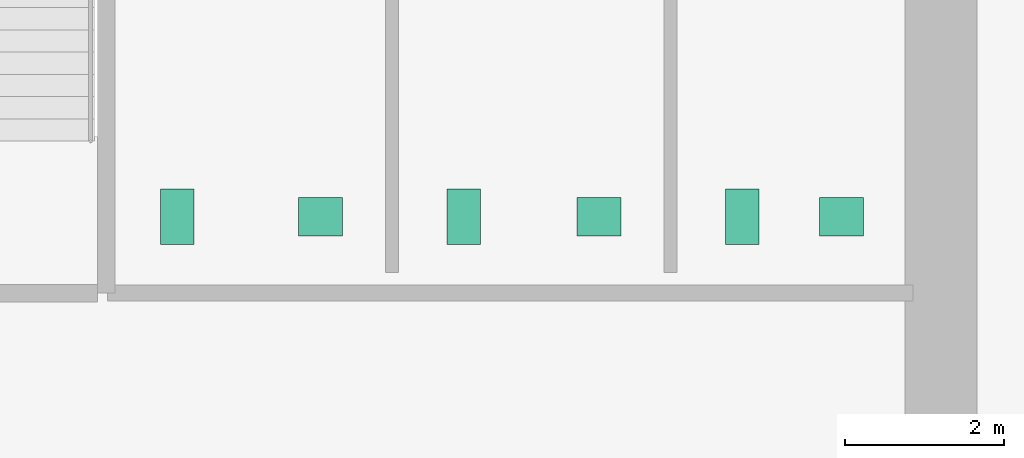
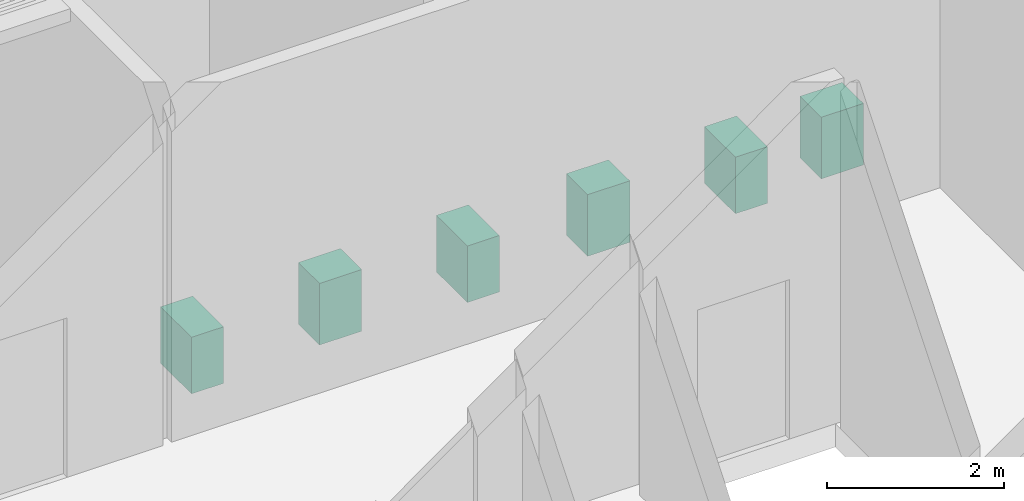
# One storey, part 22 of 22: 6 sanitary terminals.
"""IFC4 building model written with IfcOpenShell, lengths in metres."""

from ifc_helpers import new_model, si_unit, direction, frame, origin, origin_2d, place, context, subcontext, project, spatial, rectangle, extrude, material, type_object, element, save


model = new_model("IFC4")

# Units and contexts
model_context = context("Model", 3, precision=1e-05, world=origin(), true_north=direction((0.0, 1.0)))
body_context = subcontext(model_context, "Body", "Model", "MODEL_VIEW")
ifc_project = project(units=[si_unit("LENGTHUNIT", "METRE"), si_unit("AREAUNIT", "SQUARE_METRE"), si_unit("VOLUMEUNIT", "CUBIC_METRE"), si_unit("PLANEANGLEUNIT", "RADIAN"), si_unit("MASSUNIT", "GRAM", prefix="KILO")], contexts=[model_context])

# Site, building, storey
site_placement = place(None, origin())
site = spatial("IfcSite", under=ifc_project, at=site_placement, CompositionType="ELEMENT")
building_placement = place(site_placement, origin())
building = spatial("IfcBuilding", under=site, at=building_placement, Name="Norrvale University Quadrangle", CompositionType="ELEMENT")
storey_placement = place(building_placement, frame((0.0, 0.0, 96.39990234375)))
storey = spatial("IfcBuildingStorey", under=building, at=storey_placement, Name="L24", CompositionType="ELEMENT", Elevation=96.39990234375)

# Sanitary terminals
ifc_material = material(Name="Vitreous China Sanitaryware")
sanitary_terminal_type_1 = type_object("IfcSanitaryTerminalType", Name="Sanitary Wash Basin", PredefinedType="WASHHANDBASIN", material=ifc_material)
for number, where, z_axis, x_axis, name in (
    (1, (9.0, 41.10009765625, 0.0), (0.0, 0.0, 1.0), (1.0, 0.0, 0.0), "Accessible Countertop Washbasin L24-1"),
    (2, (12.5, 41.10009765625, 0.0), (0.0, 0.0, 1.0), (1.0, 0.0, 0.0), "Accessible Countertop Washbasin L24-2"),
    (3, (15.550048828125, 41.10009765625, 0.0), (0.0, 0.0, 1.0), (1.0, 0.0, 0.0), "Accessible Countertop Washbasin L24-3"),
):
    element("IfcSanitaryTerminal", number, at=place(storey_placement, frame(where, z_axis=z_axis, x_axis=x_axis)), inside=storey, type_object=sanitary_terminal_type_1, Name=name, PredefinedType="WASHHANDBASIN", context=body_context, shape_type="SweptSolid", body=[
        extrude(rectangle(XDim=0.550048828125, YDim=0.47998046875, at=origin_2d()), origin(), (0.0, 0.0, 1.0), 0.85009765625),
    ])
sanitary_terminal_type_2 = type_object("IfcSanitaryTerminalType", Name="Sanitary Water Closet", PredefinedType="TOILETPAN", material=ifc_material)
for number, where, z_axis, x_axis, name in (
    (4, (7.199951171875, 41.10009765625, 0.0), (0.0, 0.0, 1.0), (1.0, 0.0, 0.0), "Wall-Hung Water Closet L24-1"),
    (5, (10.800048828125, 41.10009765625, 0.0), (0.0, 0.0, 1.0), (1.0, 0.0, 0.0), "Wall-Hung Water Closet L24-2"),
    (6, (14.300048828125, 41.10009765625, 0.0), (0.0, 0.0, 1.0), (1.0, 0.0, 0.0), "Wall-Hung Water Closet L24-3"),
):
    element("IfcSanitaryTerminal", number, at=place(storey_placement, frame(where, z_axis=z_axis, x_axis=x_axis)), inside=storey, type_object=sanitary_terminal_type_2, Name=name, PredefinedType="TOILETPAN", context=body_context, shape_type="SweptSolid", body=[
        extrude(rectangle(XDim=0.419921875, YDim=0.699951171875, at=origin_2d()), origin(), (0.0, 0.0, 1.0), 0.780029296875),
    ])

save(model, "model.ifc")
